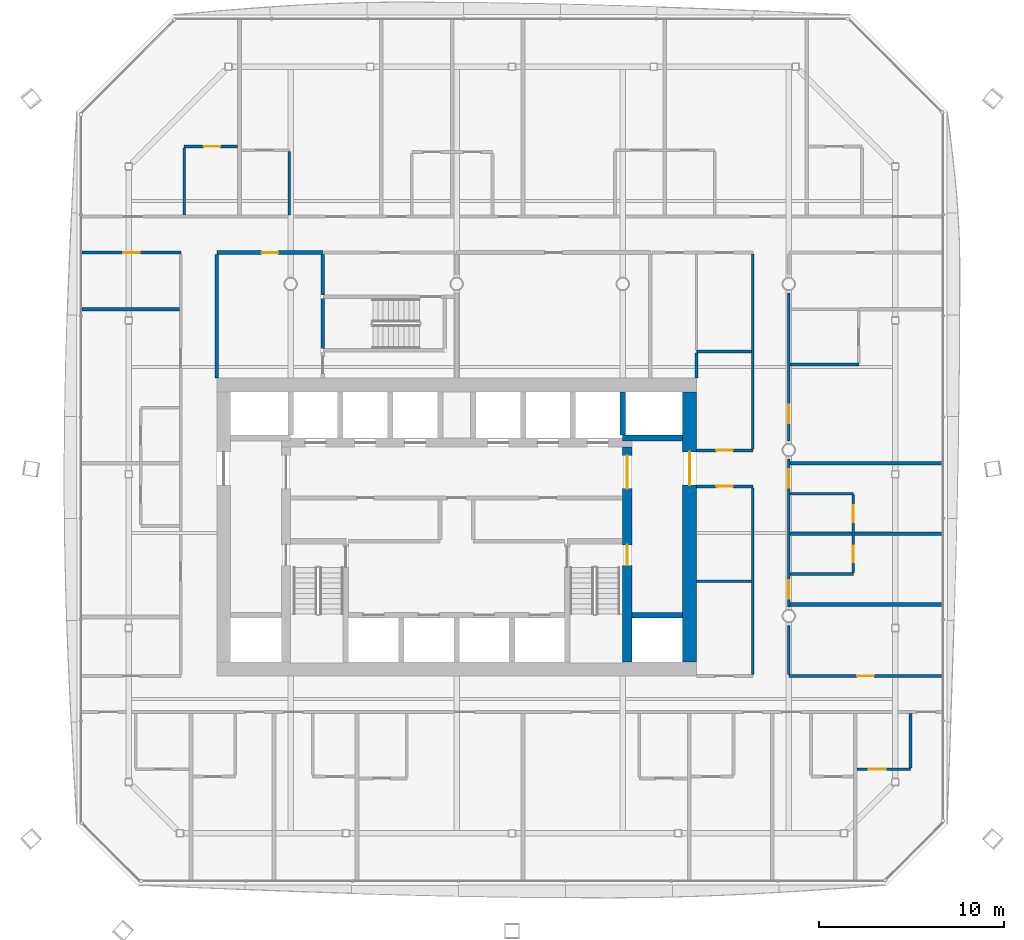
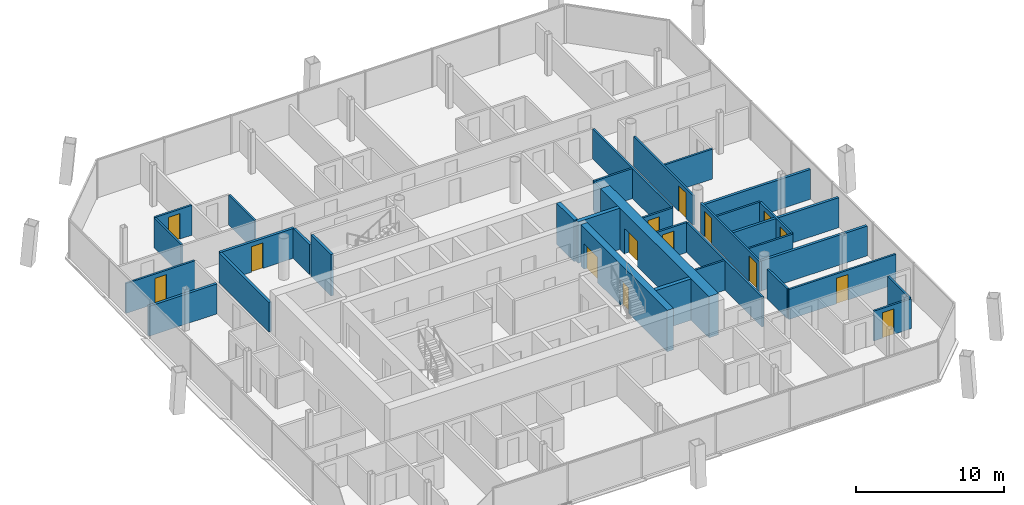
# One storey, part 14 of 21: 34 walls, 15 doors, 15 openings.
"""IFC4 building model written with IfcOpenShell, lengths in metres."""

import ifcopenshell
import ifcopenshell.guid

model = None  # the IFC model being written
_history = None  # IfcOwnerHistory: only IFC2X3 demands one
_inside = {}  # id of a spatial element -> (the spatial element, [elements in it])
_under = {}  # id of a project, library or spatial element -> (it, [spatial elements below it])
_declared = {}  # id of a project -> (the project, [libraries it declares])
_typed = {}  # id of a type object -> (the type object, [elements of that type])
_made_of = {}  # id of a material, layer set ... -> (it, [elements and type objects made of it])


def new_model(schema):
    """Start an empty IFC model of exactly this schema.

    Asked for "IFC4X3", IfcOpenShell would pick the latest addendum, in which some entities
    have other attributes; the version numbers below select the first issue.
    IFC2X3 requires an IfcOwnerHistory on every rooted entity: one is made here for all.
    """
    global model, _history
    if schema == "IFC4X3":
        model = ifcopenshell.file(schema_version=(4, 3, 0, 0))
    else:
        model = ifcopenshell.file(schema=schema)
    _inside.clear()
    _under.clear()
    _declared.clear()
    _typed.clear()
    _made_of.clear()
    _history = None
    if model.schema == "IFC2X3":
        org = make("IfcOrganization", Name="unknown")
        user = make(
            "IfcPersonAndOrganization",
            ThePerson=make("IfcPerson", FamilyName="unknown"),
            TheOrganization=org,
        )
        app = make(
            "IfcApplication",
            ApplicationDeveloper=org,
            Version="unknown",
            ApplicationFullName="unknown",
            ApplicationIdentifier="unknown",
        )
        _history = make(
            "IfcOwnerHistory",
            OwningUser=user,
            OwningApplication=app,
            ChangeAction="ADDED",
            CreationDate=0,
        )
    return model


def make(cls, **values):
    """One entity of the class cls with the attributes given. An attribute that is None is left unset."""
    return model.create_entity(
        cls, **{name: value for name, value in values.items() if value is not None}
    )


def rooted(cls, **values):
    """An entity with a GlobalId (a new one), such as an element, a storey or a relation."""
    return make(cls, GlobalId=ifcopenshell.guid.new(), OwnerHistory=_history, **values)


def si_unit(unit_type, name, prefix=None):
    """IfcSIUnit, for example si_unit("LENGTHUNIT", "METRE", prefix="MILLI")."""
    return make("IfcSIUnit", UnitType=unit_type, Prefix=prefix, Name=name)


def assignment(units):
    """IfcUnitAssignment: the units of a project."""
    return None if units is None else make("IfcUnitAssignment", Units=units)


def point(xyz):
    """IfcCartesianPoint."""
    return None if xyz is None else make("IfcCartesianPoint", Coordinates=xyz)


def direction(xyz):
    """IfcDirection."""
    return None if xyz is None else make("IfcDirection", DirectionRatios=xyz)


def frame(location, z_axis=None, x_axis=None):
    """IfcAxis2Placement3D, a coordinate frame: its origin and axes. An axis left out is left unset."""
    return make(
        "IfcAxis2Placement3D",
        Location=point(location),
        Axis=direction(z_axis),
        RefDirection=direction(x_axis),
    )


def frame_2d(location, x_axis=None):
    """IfcAxis2Placement2D, a coordinate frame in the plane: its origin and x axis."""
    return make(
        "IfcAxis2Placement2D", Location=point(location), RefDirection=direction(x_axis)
    )


def origin():
    """The frame at (0, 0, 0) with its axes left unset."""
    return frame((0.0, 0.0, 0.0))


def place(relative_to, where):
    """IfcLocalPlacement: puts the frame where relative to a parent placement (None: the world)."""
    return make(
        "IfcLocalPlacement", PlacementRelTo=relative_to, RelativePlacement=where
    )


def context(
    kind, dimensions, precision=None, world=None, true_north=None, identifier=None
):
    """IfcGeometricRepresentationContext, for example the 3D "Model" context."""
    return make(
        "IfcGeometricRepresentationContext",
        ContextIdentifier=identifier,
        ContextType=kind,
        CoordinateSpaceDimension=dimensions,
        Precision=precision,
        WorldCoordinateSystem=world,
        TrueNorth=true_north,
    )


def subcontext(parent, identifier, kind, view, scale=None):
    """IfcGeometricRepresentationSubContext, for example "Body" below "Model"."""
    return make(
        "IfcGeometricRepresentationSubContext",
        ContextIdentifier=identifier,
        ContextType=kind,
        ParentContext=parent,
        TargetScale=scale,
        TargetView=view,
    )


def project(units=None, contexts=None):
    """IfcProject with its units and contexts."""
    return rooted(
        "IfcProject",
        Name="project",
        RepresentationContexts=contexts,
        UnitsInContext=assignment(units),
    )


def spatial(cls, under=None, at=None, **own):
    """A site, building, storey or space (cls), placed at a placement, below another one or the project."""
    s = rooted(cls, ObjectPlacement=at, **own)
    if under is not None:
        _under.setdefault(under.id(), (under, []))[1].append(s)
    return s


def profile(cls, at=None, kind="AREA", **sizes):
    """A parametric profile (cls). Its sizes go by their IFC names, for example OverallWidth=200.0."""
    return make(cls, ProfileType=kind, Position=at, **sizes)


def rectangle(**sizes):
    """IfcRectangleProfileDef."""
    return profile("IfcRectangleProfileDef", **sizes)


def extrude(swept, where, along, depth):
    """IfcExtrudedAreaSolid: the profile swept, set in the frame where, extruded along a direction by depth."""
    return make(
        "IfcExtrudedAreaSolid",
        SweptArea=swept,
        Position=where,
        ExtrudedDirection=direction(along),
        Depth=depth,
    )


def shape(context_of_items, identifier, shape_type, items):
    """IfcShapeRepresentation: the items that make up one representation, for example the "Body"."""
    return make(
        "IfcShapeRepresentation",
        ContextOfItems=context_of_items,
        RepresentationIdentifier=identifier,
        RepresentationType=shape_type,
        Items=items,
    )


def material(Name=None, Category=None):
    """IfcMaterial."""
    return make("IfcMaterial", Name=Name, Category=Category)


def layer(
    of_material, thickness, ventilated=None, Name=None, Category=None, Priority=None
):
    """IfcMaterialLayer: one layer of a wall or slab, of a material (None: an air gap)."""
    return make(
        "IfcMaterialLayer",
        Material=of_material,
        LayerThickness=thickness,
        IsVentilated=ventilated,
        Name=Name,
        Category=Category,
        Priority=Priority,
    )


def layer_set(layers, Name=None):
    """IfcMaterialLayerSet."""
    return make("IfcMaterialLayerSet", MaterialLayers=layers, LayerSetName=Name)


def made_of(thing, what):
    """Note that an element or type object is made of a material, layer set ...; save() writes the relation."""
    if what is not None:
        _made_of.setdefault(what.id(), (what, []))[1].append(thing)
    return thing


def type_object(cls, material=None, **own):
    """A type object (cls), such as IfcWallType, which elements share."""
    return made_of(rooted(cls, **own), material)


def element(
    cls,
    number,
    at=None,
    inside=None,
    cuts=None,
    type_object=None,
    material=None,
    context=None,
    identifier="Body",
    shape_type=None,
    held_by="IfcProductDefinitionShape",
    body=None,
    shapes=None,
    **own,
):
    """One element of the class cls, such as IfcWall. Its Tag is "e" and its number.

    at: its placement. inside: the storey or other place that contains it. cuts: it is an
    opening in that element (IfcRelVoidsElement). A single representation is given by context,
    identifier, shape_type and body (its items); several are given by shapes. held_by: the class
    of the entity that holds the representations. save() writes the other relations.
    """
    e = rooted(cls, Tag="e%d" % number, ObjectPlacement=at, **own)
    if body is not None:
        shapes = [shape(context, identifier, shape_type, body)]
    if shapes is not None:
        e.Representation = make(held_by, Representations=shapes)
    if inside is not None:
        _inside.setdefault(inside.id(), (inside, []))[1].append(e)
    if cuts is not None:
        rooted(
            "IfcRelVoidsElement", RelatingBuildingElement=cuts, RelatedOpeningElement=e
        )
    if type_object is not None:
        _typed.setdefault(type_object.id(), (type_object, []))[1].append(e)
    return made_of(e, material)


def fill(opening, filler):
    """IfcRelFillsElement: the door or window that sits in an opening."""
    return rooted(
        "IfcRelFillsElement",
        RelatingOpeningElement=opening,
        RelatedBuildingElement=filler,
    )


def aggregate(whole, parts):
    """IfcRelAggregates: a whole, such as a stair, and the parts it consists of."""
    return rooted("IfcRelAggregates", RelatingObject=whole, RelatedObjects=parts)


def save(model, path):
    """Write the relations noted so far, then the file.

    IfcRelAggregates (storeys below a building ...), IfcRelContainedInSpatialStructure (elements
    in a storey), IfcRelDefinesByType, IfcRelAssociatesMaterial and IfcRelDeclares: one each for
    every whole, place, type object, material and project.
    """
    for whole, parts in _under.values():
        aggregate(whole, parts)
    for where, things in _inside.values():
        rooted(
            "IfcRelContainedInSpatialStructure",
            RelatedElements=things,
            RelatingStructure=where,
        )
    for kind, things in _typed.values():
        rooted("IfcRelDefinesByType", RelatedObjects=things, RelatingType=kind)
    for what, things in _made_of.values():
        rooted("IfcRelAssociatesMaterial", RelatedObjects=things, RelatingMaterial=what)
    for by, libraries in _declared.values():
        rooted("IfcRelDeclares", RelatingContext=by, RelatedDefinitions=libraries)
    model.write(path)


model = new_model("IFC4")

# Units and contexts
model_context = context("Model", 3, precision=1e-05, world=origin(), true_north=direction((0.0, 1.0)))
body_context = subcontext(model_context, "Body", "Model", "MODEL_VIEW")
ifc_project = project(units=[si_unit("LENGTHUNIT", "METRE"), si_unit("AREAUNIT", "SQUARE_METRE"), si_unit("VOLUMEUNIT", "CUBIC_METRE"), si_unit("PLANEANGLEUNIT", "RADIAN"), si_unit("MASSUNIT", "GRAM", prefix="KILO")], contexts=[model_context])

# Site, building, storey
site_placement = place(None, origin())
site = spatial("IfcSite", under=ifc_project, at=site_placement, CompositionType="ELEMENT")
building_placement = place(site_placement, origin())
building = spatial("IfcBuilding", under=site, at=building_placement, Name="Tskaro Facet Tower", CompositionType="ELEMENT")
storey_placement = place(building_placement, frame((0.0, 0.0, 128.300048828125)))
storey = spatial("IfcBuildingStorey", under=building, at=storey_placement, Name="L30", CompositionType="ELEMENT", Elevation=128.300048828125)

# Walls
ifc_material_1 = material(Name="Concrete C60/75", Category="concrete")
ifc_layer_1 = layer(ifc_material_1, 0.300048828125, Name="Concrete C60/75")
ifc_layer_set_1 = layer_set([ifc_layer_1], Name="Concrete C60/75")
wall_type_1 = type_object("IfcWallType", Name="CORE-SHAFT", PredefinedType="SHEAR", material=ifc_layer_set_1)
wall_1_placement = place(storey_placement, frame((9.5, -8.949951171875, 0.0), z_axis=(0.0, 0.0, 1.0), x_axis=(1.0, 0.0, 0.0)))
element("IfcWall", 1, at=wall_1_placement, inside=storey, type_object=wall_type_1, Name="Shaft wall W016", PredefinedType="SHEAR", context=body_context, shape_type="SweptSolid", body=[
    extrude(rectangle(XDim=2.75, YDim=0.300048828125, at=frame_2d((1.375, 0.0))), origin(), (0.0, 0.0, 1.0), 3.39990234375),
])
wall_2_placement = place(storey_placement, frame((12.25, 0.64990234375, 0.0), z_axis=(0.0, 0.0, 1.0), x_axis=(-1.0, 0.0, 0.0)))
element("IfcWall", 2, at=wall_2_placement, inside=storey, type_object=wall_type_1, Name="Shaft wall W033", PredefinedType="SHEAR", context=body_context, shape_type="SweptSolid", body=[
    extrude(rectangle(XDim=3.25, YDim=0.300048828125, at=frame_2d((1.625, 0.0))), origin(), (0.0, 0.0, 1.0), 3.39990234375),
])
wall_3_placement = place(storey_placement, frame((9.0, 0.800048828125, 0.0), z_axis=(0.0, 0.0, 1.0), x_axis=(0.0, 1.0, 0.0)))
element("IfcWall", 3, at=wall_3_placement, inside=storey, type_object=wall_type_1, Name="Shaft wall W095", PredefinedType="SHEAR", context=body_context, shape_type="SweptSolid", body=[
    extrude(rectangle(XDim=2.349853515625, YDim=0.300048828125, at=frame_2d((1.1748046875, 0.0))), origin(), (0.0, 0.0, 1.0), 3.39990234375),
])

# Wall, openings, doors
ifc_material_2 = material(Name="Concrete C40/50", Category="concrete")
ifc_layer_2 = layer(ifc_material_2, 0.5, Name="Concrete C40/50")
ifc_layer_set_2 = layer_set([ifc_layer_2], Name="Concrete C40/50")
wall_type_2 = type_object("IfcWallType", Name="Core wall 500", PredefinedType="SHEAR", material=ifc_layer_set_2)
wall_4_placement = place(storey_placement, frame((9.25, -11.5, 0.0), z_axis=(0.0, 0.0, 1.0), x_axis=(0.0, 1.0, 0.0)))
wall_4 = element("IfcWall", 4, at=wall_4_placement, inside=storey, type_object=wall_type_2, Name="Core wall CW-Z3E", PredefinedType="SHEAR", context=body_context, shape_type="SweptSolid", body=[
    extrude(rectangle(XDim=11.64990234375, YDim=0.5, at=frame_2d((5.824951171875, 0.0))), origin(), (0.0, 0.0, 1.0), 3.39990234375),
])
opening_1_placement = place(wall_4_placement, frame((9.39990234375, 0.0, 0.0)))
opening_1 = element("IfcOpeningElement", 5, at=opening_1_placement, cuts=wall_4, Name="Opening T8-D32", PredefinedType="OPENING", context=body_context, shape_type="SweptSolid", body=[
    extrude(rectangle(XDim=1.800048828125, YDim=2.10009765625, at=frame_2d((0.89990234375, 1.050048828125))), frame((0.0, 0.260009765625, 0.0), z_axis=(0.0, -1.0, 0.0), x_axis=(1.0, 0.0, 0.0)), (0.0, 0.0, 1.0), 0.52001953125),
])
opening_2_placement = place(wall_4_placement, frame((5.25, 0.0, 0.0)))
opening_2 = element("IfcOpeningElement", 6, at=opening_2_placement, cuts=wall_4, Name="Opening ST-2-D2", PredefinedType="OPENING", context=body_context, shape_type="SweptSolid", body=[
    extrude(rectangle(XDim=1.10009765625, YDim=2.10009765625, at=frame_2d((0.550048828125, 1.050048828125))), frame((0.0, 0.260009765625, 0.0), z_axis=(0.0, -1.0, 0.0), x_axis=(1.0, 0.0, 0.0)), (0.0, 0.0, 1.0), 0.52001953125),
])
ifc_material_3 = material(Name="Steel", Category="steel")
door_type_1 = type_object("IfcDoorType", Name="D-CORE-PAIR", OperationType="NOTDEFINED", PredefinedType="DOOR", material=ifc_material_3)
door_1_placement = place(opening_1_placement, origin())
door_1 = element("IfcDoor", 7, at=door_1_placement, inside=storey, type_object=door_type_1, Name="Door T8-D32", OperationType="DOUBLE_DOOR_SINGLE_SWING", OverallHeight=2.10009765625, OverallWidth=1.800048828125, PredefinedType="DOOR", context=body_context, shape_type="SweptSolid", body=[
    extrude(rectangle(XDim=1.800048828125, YDim=2.10009765625, at=frame_2d((0.89990234375, 1.050048828125))), frame((0.0, 0.02490234375, 0.0), z_axis=(0.0, -1.0, 0.0), x_axis=(1.0, 0.0, 0.0)), (0.0, 0.0, 1.0), 0.050048828125),
])
fill(opening_1, door_1)
door_type_2 = type_object("IfcDoorType", Name="D-STAIR", OperationType="NOTDEFINED", PredefinedType="DOOR", material=ifc_material_3)
door_2_placement = place(opening_2_placement, origin())
door_2 = element("IfcDoor", 8, at=door_2_placement, inside=storey, type_object=door_type_2, Name="Stair door 2 east", OperationType="SINGLE_SWING_LEFT", OverallHeight=2.10009765625, OverallWidth=1.10009765625, PredefinedType="DOOR", context=body_context, shape_type="SweptSolid", body=[
    extrude(rectangle(XDim=1.10009765625, YDim=2.10009765625, at=frame_2d((0.550048828125, 1.050048828125))), frame((0.0, 0.02490234375, 0.0), z_axis=(0.0, -1.0, 0.0), x_axis=(1.0, 0.0, 0.0)), (0.0, 0.0, 1.0), 0.050048828125),
])
fill(opening_2, door_2)

# Wall, opening, door
ifc_material_4 = material(Name="Concrete C50/60", Category="concrete")
ifc_layer_3 = layer(ifc_material_4, 0.75, Name="Concrete C50/60")
ifc_layer_set_3 = layer_set([ifc_layer_3], Name="Concrete C50/60")
wall_type_3 = type_object("IfcWallType", Name="Core wall 750", PredefinedType="SHEAR", material=ifc_layer_set_3)
wall_5_placement = place(storey_placement, frame((12.625, -11.5, 0.0), z_axis=(0.0, 0.0, 1.0), x_axis=(0.0, 1.0, 0.0)))
wall_5 = element("IfcWall", 9, at=wall_5_placement, inside=storey, type_object=wall_type_3, Name="Core wall CW-Z2E", PredefinedType="SHEAR", context=body_context, shape_type="SweptSolid", body=[
    extrude(rectangle(XDim=14.64990234375, YDim=0.75, at=frame_2d((7.324951171875, 0.0))), origin(), (0.0, 0.0, 1.0), 3.39990234375),
])
opening_3_placement = place(wall_5_placement, frame((9.60009765625, 0.0, 0.0)))
opening_3 = element("IfcOpeningElement", 10, at=opening_3_placement, cuts=wall_5, Name="Opening T8-D34", PredefinedType="OPENING", context=body_context, shape_type="SweptSolid", body=[
    extrude(rectangle(XDim=1.800048828125, YDim=2.10009765625, at=frame_2d((0.89990234375, 1.050048828125))), frame((0.0, 0.385009765625, 0.0), z_axis=(0.0, -1.0, 0.0), x_axis=(1.0, 0.0, 0.0)), (0.0, 0.0, 1.0), 0.77001953125),
])
door_3_placement = place(opening_3_placement, origin())
door_3 = element("IfcDoor", 11, at=door_3_placement, inside=storey, type_object=door_type_1, Name="Door T8-D34", OperationType="DOUBLE_DOOR_SINGLE_SWING", OverallHeight=2.10009765625, OverallWidth=1.800048828125, PredefinedType="DOOR", context=body_context, shape_type="SweptSolid", body=[
    extrude(rectangle(XDim=1.800048828125, YDim=2.10009765625, at=frame_2d((0.89990234375, 1.050048828125))), frame((0.0, 0.02490234375, 0.0), z_axis=(0.0, -1.0, 0.0), x_axis=(1.0, 0.0, 0.0)), (0.0, 0.0, 1.0), 0.050048828125),
])
fill(opening_3, door_3)

ifc_material_5 = material(Name="Gypsum board on steel studs", Category="steel")
ifc_layer_4 = layer(ifc_material_5, 0.14990234375, Name="Gypsum board on steel studs")
ifc_layer_set_4 = layer_set([ifc_layer_4], Name="Gypsum board on steel studs")
wall_type_4 = type_object("IfcWallType", Name="PART-CORR", PredefinedType="PARTITIONING", material=ifc_layer_set_4)
wall_6_placement = place(storey_placement, frame((21.698974609375, -17.300048828125, 0.0), z_axis=(0.0, 0.0, 1.0), x_axis=(1.0, 0.0, 0.0)))
wall_6 = element("IfcWall", 12, at=wall_6_placement, inside=storey, type_object=wall_type_4, Name="Corridor wall W008", PredefinedType="PARTITIONING", context=body_context, shape_type="SweptSolid", body=[
    extrude(rectangle(XDim=2.900146484375, YDim=0.14990234375, at=frame_2d((1.4501953125, 0.0))), origin(), (0.0, 0.0, 1.0), 2.4599609375),
])
opening_4_placement = place(wall_6_placement, frame((0.64990234375, 0.0, 0.0)))
opening_4 = element("IfcOpeningElement", 13, at=opening_4_placement, cuts=wall_6, Name="Opening T8-D08", PredefinedType="OPENING", context=body_context, shape_type="SweptSolid", body=[
    extrude(rectangle(XDim=0.89990234375, YDim=2.10009765625, at=frame_2d((0.449951171875, 1.050048828125))), frame((0.0, 0.0849609375, 0.0), z_axis=(0.0, -1.0, 0.0), x_axis=(1.0, 0.0, 0.0)), (0.0, 0.0, 1.0), 0.169921875),
])
ifc_material_6 = material(Name="Timber", Category="wood")
door_type_3 = type_object("IfcDoorType", Name="D-ROOM", OperationType="NOTDEFINED", PredefinedType="DOOR", material=ifc_material_6)
door_4_placement = place(opening_4_placement, origin())
door_4 = element("IfcDoor", 14, at=door_4_placement, inside=storey, type_object=door_type_3, Name="Door T8-D08", OperationType="SINGLE_SWING_LEFT", OverallHeight=2.10009765625, OverallWidth=0.89990234375, PredefinedType="DOOR", context=body_context, shape_type="SweptSolid", body=[
    extrude(rectangle(XDim=0.89990234375, YDim=2.10009765625, at=frame_2d((0.449951171875, 1.050048828125))), frame((0.0, 0.02490234375, 0.0), z_axis=(0.0, -1.0, 0.0), x_axis=(1.0, 0.0, 0.0)), (0.0, 0.0, 1.0), 0.050048828125),
])
fill(opening_4, door_4)

wall_7_placement = place(storey_placement, frame((18.0, -12.25, 0.0), z_axis=(0.0, 0.0, 1.0), x_axis=(1.0, 0.0, 0.0)))
wall_7 = element("IfcWall", 15, at=wall_7_placement, inside=storey, type_object=wall_type_4, Name="Corridor wall W012", PredefinedType="PARTITIONING", context=body_context, shape_type="SweptSolid", body=[
    extrude(rectangle(XDim=8.31689453125, YDim=0.14990234375, at=frame_2d((4.158447265625, 0.0))), origin(), (0.0, 0.0, 1.0), 2.4599609375),
])
opening_5_placement = place(wall_7_placement, frame((3.70849609375, 0.0, 0.0)))
opening_5 = element("IfcOpeningElement", 16, at=opening_5_placement, cuts=wall_7, Name="Opening T8-D19", PredefinedType="OPENING", context=body_context, shape_type="SweptSolid", body=[
    extrude(rectangle(XDim=0.89990234375, YDim=2.10009765625, at=frame_2d((0.449951171875, 1.050048828125))), frame((0.0, 0.0849609375, 0.0), z_axis=(0.0, -1.0, 0.0), x_axis=(1.0, 0.0, 0.0)), (0.0, 0.0, 1.0), 0.169921875),
])
door_5_placement = place(opening_5_placement, origin())
door_5 = element("IfcDoor", 17, at=door_5_placement, inside=storey, type_object=door_type_3, Name="Door T8-D19", OperationType="SINGLE_SWING_LEFT", OverallHeight=2.10009765625, OverallWidth=0.89990234375, PredefinedType="DOOR", context=body_context, shape_type="SweptSolid", body=[
    extrude(rectangle(XDim=0.89990234375, YDim=2.10009765625, at=frame_2d((0.449951171875, 1.050048828125))), frame((0.0, 0.02490234375, 0.0), z_axis=(0.0, -1.0, 0.0), x_axis=(1.0, 0.0, 0.0)), (0.0, 0.0, 1.0), 0.050048828125),
])
fill(opening_5, door_5)

# Walls
wall_8_placement = place(storey_placement, frame((13.0, -7.112060546875, 0.0), z_axis=(0.0, 0.0, 1.0), x_axis=(1.0, 0.0, 0.0)))
element("IfcWall", 18, at=wall_8_placement, inside=storey, type_object=wall_type_4, Name="Corridor wall W018", PredefinedType="PARTITIONING", context=body_context, shape_type="SweptSolid", body=[
    extrude(rectangle(XDim=2.97509765625, YDim=0.14990234375, at=frame_2d((1.487548828125, 0.0))), origin(), (0.0, 0.0, 1.0), 2.4599609375),
])
for number, where, z_axis, x_axis, name in (
    (19, (18.074951171875, -6.72802734375, 0.0), (0.0, 0.0, 1.0), (1.0, 0.0, 0.0), "Corridor wall W019"),
    (20, (18.074951171875, -2.367919921875, 0.0), (0.0, 0.0, 1.0), (1.0, 0.0, 0.0), "Corridor wall W027"),
):
    element("IfcWall", number, at=place(storey_placement, frame(where, z_axis=z_axis, x_axis=x_axis)), inside=storey, type_object=wall_type_4, Name=name, PredefinedType="PARTITIONING", context=body_context, shape_type="SweptSolid", body=[
        extrude(rectangle(XDim=3.425048828125, YDim=0.14990234375, at=frame_2d((1.71240234375, 0.0))), origin(), (0.0, 0.0, 1.0), 2.4599609375),
    ])

# Wall, opening, door
wall_9_placement = place(storey_placement, frame((16.050048828125, -1.97509765625, 0.0), z_axis=(0.0, 0.0, 1.0), x_axis=(-1.0, 0.0, 0.0)))
wall_9 = element("IfcWall", 21, at=wall_9_placement, inside=storey, type_object=wall_type_4, Name="Corridor wall W028", PredefinedType="PARTITIONING", context=body_context, shape_type="SweptSolid", body=[
    extrude(rectangle(XDim=3.050048828125, YDim=0.14990234375, at=frame_2d((1.52490234375, 0.0))), origin(), (0.0, 0.0, 1.0), 2.4599609375),
])
opening_6_placement = place(wall_9_placement, frame((1.074951171875, 0.0, 0.0)))
opening_6 = element("IfcOpeningElement", 22, at=opening_6_placement, cuts=wall_9, Name="Opening T8-D29", PredefinedType="OPENING", context=body_context, shape_type="SweptSolid", body=[
    extrude(rectangle(XDim=0.89990234375, YDim=2.10009765625, at=frame_2d((0.449951171875, 1.050048828125))), frame((0.0, 0.0849609375, 0.0), z_axis=(0.0, -1.0, 0.0), x_axis=(1.0, 0.0, 0.0)), (0.0, 0.0, 1.0), 0.169921875),
])
door_6_placement = place(opening_6_placement, origin())
door_6 = element("IfcDoor", 23, at=door_6_placement, inside=storey, type_object=door_type_3, Name="Door T8-D29", OperationType="SINGLE_SWING_RIGHT", OverallHeight=2.10009765625, OverallWidth=0.89990234375, PredefinedType="DOOR", context=body_context, shape_type="SweptSolid", body=[
    extrude(rectangle(XDim=0.89990234375, YDim=2.10009765625, at=frame_2d((0.449951171875, 1.050048828125))), frame((0.0, 0.02490234375, 0.0), z_axis=(0.0, -1.0, 0.0), x_axis=(1.0, 0.0, 0.0)), (0.0, 0.0, 1.0), 0.050048828125),
])
fill(opening_6, door_6)

wall_10_placement = place(storey_placement, frame((13.0, -0.02490234375, 0.0), z_axis=(0.0, 0.0, 1.0), x_axis=(1.0, 0.0, 0.0)))
wall_10 = element("IfcWall", 24, at=wall_10_placement, inside=storey, type_object=wall_type_4, Name="Corridor wall W031", PredefinedType="PARTITIONING", context=body_context, shape_type="SweptSolid", body=[
    extrude(rectangle(XDim=3.050048828125, YDim=0.14990234375, at=frame_2d((1.52490234375, 0.0))), origin(), (0.0, 0.0, 1.0), 2.4599609375),
])
opening_7_placement = place(wall_10_placement, frame((1.074951171875, 0.0, 0.0)))
opening_7 = element("IfcOpeningElement", 25, at=opening_7_placement, cuts=wall_10, Name="Opening T8-D35", PredefinedType="OPENING", context=body_context, shape_type="SweptSolid", body=[
    extrude(rectangle(XDim=0.89990234375, YDim=2.10009765625, at=frame_2d((0.449951171875, 1.050048828125))), frame((0.0, 0.0849609375, 0.0), z_axis=(0.0, -1.0, 0.0), x_axis=(1.0, 0.0, 0.0)), (0.0, 0.0, 1.0), 0.169921875),
])
door_7_placement = place(opening_7_placement, origin())
door_7 = element("IfcDoor", 26, at=door_7_placement, inside=storey, type_object=door_type_3, Name="Door T8-D35", OperationType="SINGLE_SWING_LEFT", OverallHeight=2.10009765625, OverallWidth=0.89990234375, PredefinedType="DOOR", context=body_context, shape_type="SweptSolid", body=[
    extrude(rectangle(XDim=0.89990234375, YDim=2.10009765625, at=frame_2d((0.449951171875, 1.050048828125))), frame((0.0, 0.02490234375, 0.0), z_axis=(0.0, -1.0, 0.0), x_axis=(1.0, 0.0, 0.0)), (0.0, 0.0, 1.0), 0.050048828125),
])
fill(opening_7, door_7)

# Walls
wall_11_placement = place(storey_placement, frame((18.074951171875, 4.6259765625, 0.0), z_axis=(0.0, 0.0, 1.0), x_axis=(1.0, 0.0, 0.0)))
element("IfcWall", 27, at=wall_11_placement, inside=storey, type_object=wall_type_4, Name="Corridor wall W035", PredefinedType="PARTITIONING", context=body_context, shape_type="SweptSolid", body=[
    extrude(rectangle(XDim=3.72509765625, YDim=0.14990234375, at=frame_2d((1.862548828125, 0.0))), origin(), (0.0, 0.0, 1.0), 2.4599609375),
])
wall_12_placement = place(storey_placement, frame((13.0, 5.3369140625, 0.0), z_axis=(0.0, 0.0, 1.0), x_axis=(1.0, 0.0, 0.0)))
element("IfcWall", 28, at=wall_12_placement, inside=storey, type_object=wall_type_4, Name="Corridor wall W036", PredefinedType="PARTITIONING", context=body_context, shape_type="SweptSolid", body=[
    extrude(rectangle(XDim=2.97509765625, YDim=0.14990234375, at=frame_2d((1.487548828125, 0.0))), origin(), (0.0, 0.0, 1.0), 2.4599609375),
])

# Wall, opening, door
wall_13_placement = place(storey_placement, frame((-14.949951171875, 10.699951171875, 0.0), z_axis=(0.0, 0.0, 1.0), x_axis=(-1.0, 0.0, 0.0)))
wall_13 = element("IfcWall", 29, at=wall_13_placement, inside=storey, type_object=wall_type_4, Name="Corridor wall W043", PredefinedType="PARTITIONING", context=body_context, shape_type="SweptSolid", body=[
    extrude(rectangle(XDim=5.366943359375, YDim=0.14990234375, at=frame_2d((2.68359375, 0.0))), origin(), (0.0, 0.0, 1.0), 2.4599609375),
])
opening_8_placement = place(wall_13_placement, frame((2.2333984375, 0.0, 0.0)))
opening_8 = element("IfcOpeningElement", 30, at=opening_8_placement, cuts=wall_13, Name="Opening T8-D43", PredefinedType="OPENING", context=body_context, shape_type="SweptSolid", body=[
    extrude(rectangle(XDim=0.89990234375, YDim=2.10009765625, at=frame_2d((0.449951171875, 1.050048828125))), frame((0.0, 0.0849609375, 0.0), z_axis=(0.0, -1.0, 0.0), x_axis=(1.0, 0.0, 0.0)), (0.0, 0.0, 1.0), 0.169921875),
])
door_8_placement = place(opening_8_placement, origin())
door_8 = element("IfcDoor", 31, at=door_8_placement, inside=storey, type_object=door_type_3, Name="Door T8-D43", OperationType="SINGLE_SWING_RIGHT", OverallHeight=2.10009765625, OverallWidth=0.89990234375, PredefinedType="DOOR", context=body_context, shape_type="SweptSolid", body=[
    extrude(rectangle(XDim=0.89990234375, YDim=2.10009765625, at=frame_2d((0.449951171875, 1.050048828125))), frame((0.0, 0.02490234375, 0.0), z_axis=(0.0, -1.0, 0.0), x_axis=(1.0, 0.0, 0.0)), (0.0, 0.0, 1.0), 0.050048828125),
])
fill(opening_8, door_8)

wall_14_placement = place(storey_placement, frame((-11.867919921875, 16.449951171875, 0.0), z_axis=(0.0, 0.0, 1.0), x_axis=(-1.0, 0.0, 0.0)))
wall_14 = element("IfcWall", 32, at=wall_14_placement, inside=storey, type_object=wall_type_4, Name="Corridor wall W053", PredefinedType="PARTITIONING", context=body_context, shape_type="SweptSolid", body=[
    extrude(rectangle(XDim=2.900146484375, YDim=0.14990234375, at=frame_2d((1.4501953125, 0.0))), origin(), (0.0, 0.0, 1.0), 2.4599609375),
])
opening_9_placement = place(wall_14_placement, frame((0.949951171875, 0.0, 0.0)))
opening_9 = element("IfcOpeningElement", 33, at=opening_9_placement, cuts=wall_14, Name="Opening T8-D62", PredefinedType="OPENING", context=body_context, shape_type="SweptSolid", body=[
    extrude(rectangle(XDim=0.89990234375, YDim=2.10009765625, at=frame_2d((0.449951171875, 1.050048828125))), frame((0.0, 0.0849609375, 0.0), z_axis=(0.0, -1.0, 0.0), x_axis=(1.0, 0.0, 0.0)), (0.0, 0.0, 1.0), 0.169921875),
])
door_9_placement = place(opening_9_placement, origin())
door_9 = element("IfcDoor", 34, at=door_9_placement, inside=storey, type_object=door_type_3, Name="Door T8-D62", OperationType="SINGLE_SWING_RIGHT", OverallHeight=2.10009765625, OverallWidth=0.89990234375, PredefinedType="DOOR", context=body_context, shape_type="SweptSolid", body=[
    extrude(rectangle(XDim=0.89990234375, YDim=2.10009765625, at=frame_2d((0.449951171875, 1.050048828125))), frame((0.0, 0.02490234375, 0.0), z_axis=(0.0, -1.0, 0.0), x_axis=(1.0, 0.0, 0.0)), (0.0, 0.0, 1.0), 0.050048828125),
])
fill(opening_9, door_9)

# Walls
wall_15_placement = place(storey_placement, frame((-14.76806640625, 12.72509765625, 0.0), z_axis=(0.0, 0.0, 1.0), x_axis=(0.0, 1.0, 0.0)))
element("IfcWall", 35, at=wall_15_placement, inside=storey, type_object=wall_type_4, Name="Corridor wall W058", PredefinedType="PARTITIONING", context=body_context, shape_type="SweptSolid", body=[
    extrude(rectangle(XDim=3.64990234375, YDim=0.14990234375, at=frame_2d((1.824951171875, 0.0))), origin(), (0.0, 0.0, 1.0), 2.4599609375),
])
wall_16_placement = place(storey_placement, frame((-9.068115234375, 12.72509765625, 0.0), z_axis=(0.0, 0.0, 1.0), x_axis=(0.0, 1.0, 0.0)))
element("IfcWall", 36, at=wall_16_placement, inside=storey, type_object=wall_type_4, Name="Corridor wall W064", PredefinedType="PARTITIONING", context=body_context, shape_type="SweptSolid", body=[
    extrude(rectangle(XDim=3.449951171875, YDim=0.14990234375, at=frame_2d((1.72509765625, 0.0))), origin(), (0.0, 0.0, 1.0), 2.4599609375),
])
wall_17_placement = place(storey_placement, frame((13.0, 3.89990234375, 0.0), z_axis=(0.0, 0.0, 1.0), x_axis=(0.0, 1.0, 0.0)))
element("IfcWall", 37, at=wall_17_placement, inside=storey, type_object=wall_type_4, Name="Corridor wall W100", PredefinedType="PARTITIONING", context=body_context, shape_type="SweptSolid", body=[
    extrude(rectangle(XDim=1.362060546875, YDim=0.14990234375, at=frame_2d((0.68115234375, 0.0))), origin(), (0.0, 0.0, 1.0), 2.4599609375),
])
wall_18_placement = place(storey_placement, frame((16.050048828125, -12.175048828125, 0.0), z_axis=(0.0, 0.0, 1.0), x_axis=(0.0, 1.0, 0.0)))
element("IfcWall", 38, at=wall_18_placement, inside=storey, type_object=wall_type_4, Name="Corridor wall W104", PredefinedType="PARTITIONING", context=body_context, shape_type="SweptSolid", body=[
    extrude(rectangle(XDim=10.125, YDim=0.14990234375, at=frame_2d((5.0625, 0.0))), origin(), (0.0, 0.0, 1.0), 2.4599609375),
])
wall_19_placement = place(storey_placement, frame((16.050048828125, 0.050048828125, 0.0), z_axis=(0.0, 0.0, 1.0), x_axis=(0.0, 1.0, 0.0)))
element("IfcWall", 39, at=wall_19_placement, inside=storey, type_object=wall_type_4, Name="Corridor wall W105", PredefinedType="PARTITIONING", context=body_context, shape_type="SweptSolid", body=[
    extrude(rectangle(XDim=10.574951171875, YDim=0.14990234375, at=frame_2d((5.28759765625, 0.0))), origin(), (0.0, 0.0, 1.0), 2.4599609375),
])
wall_20_placement = place(storey_placement, frame((18.0, -12.175048828125, 0.0), z_axis=(0.0, 0.0, 1.0), x_axis=(0.0, 1.0, 0.0)))
element("IfcWall", 40, at=wall_20_placement, inside=storey, type_object=wall_type_4, Name="Corridor wall W107", PredefinedType="PARTITIONING", context=body_context, shape_type="SweptSolid", body=[
    extrude(rectangle(XDim=2.675048828125, YDim=0.14990234375, at=frame_2d((1.33740234375, 0.0))), origin(), (0.0, 0.0, 1.0), 2.4599609375),
])

# Wall, openings, doors
wall_21_placement = place(storey_placement, frame((18.0, -0.5, 0.0), z_axis=(0.0, 0.0, 1.0), x_axis=(0.0, -1.0, 0.0)))
wall_21 = element("IfcWall", 41, at=wall_21_placement, inside=storey, type_object=wall_type_4, Name="Corridor wall W108", PredefinedType="PARTITIONING", context=body_context, shape_type="SweptSolid", body=[
    extrude(rectangle(XDim=8.0, YDim=0.14990234375, at=frame_2d((4.0, 0.0))), origin(), (0.0, 0.0, 1.0), 2.4599609375),
])
opening_10_placement = place(wall_21_placement, frame((6.553955078125, 0.0, 0.0)))
opening_10 = element("IfcOpeningElement", 42, at=opening_10_placement, cuts=wall_21, Name="Opening T8-D22", PredefinedType="OPENING", context=body_context, shape_type="SweptSolid", body=[
    extrude(rectangle(XDim=1.0, YDim=2.10009765625, at=frame_2d((0.5, 1.050048828125))), frame((0.0, 0.0849609375, 0.0), z_axis=(0.0, -1.0, 0.0), x_axis=(1.0, 0.0, 0.0)), (0.0, 0.0, 1.0), 0.169921875),
])
opening_11_placement = place(wall_21_placement, frame((0.5419921875, 0.0, 0.0)))
opening_11 = element("IfcOpeningElement", 43, at=opening_11_placement, cuts=wall_21, Name="Opening T8-D30", PredefinedType="OPENING", context=body_context, shape_type="SweptSolid", body=[
    extrude(rectangle(XDim=1.0, YDim=2.10009765625, at=frame_2d((0.5, 1.050048828125))), frame((0.0, 0.0849609375, 0.0), z_axis=(0.0, -1.0, 0.0), x_axis=(1.0, 0.0, 0.0)), (0.0, 0.0, 1.0), 0.169921875),
])
door_type_4 = type_object("IfcDoorType", Name="D-ENTRY", OperationType="NOTDEFINED", PredefinedType="DOOR", material=ifc_material_6)
door_10_placement = place(opening_10_placement, origin())
door_10 = element("IfcDoor", 44, at=door_10_placement, inside=storey, type_object=door_type_4, Name="Door T8-D22", OperationType="SINGLE_SWING_LEFT", OverallHeight=2.10009765625, OverallWidth=1.0, PredefinedType="DOOR", context=body_context, shape_type="SweptSolid", body=[
    extrude(rectangle(XDim=1.0, YDim=2.10009765625, at=frame_2d((0.5, 1.050048828125))), frame((0.0, 0.02490234375, 0.0), z_axis=(0.0, -1.0, 0.0), x_axis=(1.0, 0.0, 0.0)), (0.0, 0.0, 1.0), 0.050048828125),
])
fill(opening_10, door_10)
door_11_placement = place(opening_11_placement, origin())
door_11 = element("IfcDoor", 45, at=door_11_placement, inside=storey, type_object=door_type_4, Name="Door T8-D30", OperationType="SINGLE_SWING_RIGHT", OverallHeight=2.10009765625, OverallWidth=1.0, PredefinedType="DOOR", context=body_context, shape_type="SweptSolid", body=[
    extrude(rectangle(XDim=1.0, YDim=2.10009765625, at=frame_2d((0.5, 1.050048828125))), frame((0.0, 0.02490234375, 0.0), z_axis=(0.0, -1.0, 0.0), x_axis=(1.0, 0.0, 0.0)), (0.0, 0.0, 1.0), 0.050048828125),
])
fill(opening_11, door_11)

# Wall, opening, door
wall_22_placement = place(storey_placement, frame((18.0, 8.5, 0.0), z_axis=(0.0, 0.0, 1.0), x_axis=(0.0, -1.0, 0.0)))
wall_22 = element("IfcWall", 46, at=wall_22_placement, inside=storey, type_object=wall_type_4, Name="Corridor wall W109", PredefinedType="PARTITIONING", context=body_context, shape_type="SweptSolid", body=[
    extrude(rectangle(XDim=8.0, YDim=0.14990234375, at=frame_2d((4.0, 0.0))), origin(), (0.0, 0.0, 1.0), 2.4599609375),
])
opening_12_placement = place(wall_22_placement, frame((6.044921875, 0.0, 0.0)))
opening_12 = element("IfcOpeningElement", 47, at=opening_12_placement, cuts=wall_22, Name="Opening T8-D39", PredefinedType="OPENING", context=body_context, shape_type="SweptSolid", body=[
    extrude(rectangle(XDim=1.0, YDim=2.10009765625, at=frame_2d((0.5, 1.050048828125))), frame((0.0, 0.0849609375, 0.0), z_axis=(0.0, -1.0, 0.0), x_axis=(1.0, 0.0, 0.0)), (0.0, 0.0, 1.0), 0.169921875),
])
door_12_placement = place(opening_12_placement, origin())
door_12 = element("IfcDoor", 48, at=door_12_placement, inside=storey, type_object=door_type_4, Name="Door T8-D39", OperationType="SINGLE_SWING_RIGHT", OverallHeight=2.10009765625, OverallWidth=1.0, PredefinedType="DOOR", context=body_context, shape_type="SweptSolid", body=[
    extrude(rectangle(XDim=1.0, YDim=2.10009765625, at=frame_2d((0.5, 1.050048828125))), frame((0.0, 0.02490234375, 0.0), z_axis=(0.0, -1.0, 0.0), x_axis=(1.0, 0.0, 0.0)), (0.0, 0.0, 1.0), 0.050048828125),
])
fill(opening_12, door_12)

# Wall, openings, doors
wall_23_placement = place(storey_placement, frame((21.5, -6.653076171875, 0.0), z_axis=(0.0, 0.0, 1.0), x_axis=(0.0, 1.0, 0.0)))
wall_23 = element("IfcWall", 49, at=wall_23_placement, inside=storey, type_object=wall_type_4, Name="Corridor wall W113", PredefinedType="PARTITIONING", context=body_context, shape_type="SweptSolid", body=[
    extrude(rectangle(XDim=4.2099609375, YDim=0.14990234375, at=frame_2d((2.10498046875, 0.0))), origin(), (0.0, 0.0, 1.0), 2.4599609375),
])
opening_13_placement = place(wall_23_placement, frame((0.56494140625, 0.0, 0.0)))
opening_13 = element("IfcOpeningElement", 50, at=opening_13_placement, cuts=wall_23, Name="Opening T8-D24", PredefinedType="OPENING", context=body_context, shape_type="SweptSolid", body=[
    extrude(rectangle(XDim=0.89990234375, YDim=2.10009765625, at=frame_2d((0.449951171875, 1.050048828125))), frame((0.0, 0.0849609375, 0.0), z_axis=(0.0, -1.0, 0.0), x_axis=(1.0, 0.0, 0.0)), (0.0, 0.0, 1.0), 0.169921875),
])
opening_14_placement = place(wall_23_placement, frame((2.7451171875, 0.0, 0.0)))
opening_14 = element("IfcOpeningElement", 51, at=opening_14_placement, cuts=wall_23, Name="Opening T8-D25", PredefinedType="OPENING", context=body_context, shape_type="SweptSolid", body=[
    extrude(rectangle(XDim=0.89990234375, YDim=2.10009765625, at=frame_2d((0.449951171875, 1.050048828125))), frame((0.0, 0.0849609375, 0.0), z_axis=(0.0, -1.0, 0.0), x_axis=(1.0, 0.0, 0.0)), (0.0, 0.0, 1.0), 0.169921875),
])
door_13_placement = place(opening_13_placement, origin())
door_13 = element("IfcDoor", 52, at=door_13_placement, inside=storey, type_object=door_type_3, Name="Door T8-D24", OperationType="SINGLE_SWING_LEFT", OverallHeight=2.10009765625, OverallWidth=0.89990234375, PredefinedType="DOOR", context=body_context, shape_type="SweptSolid", body=[
    extrude(rectangle(XDim=0.89990234375, YDim=2.10009765625, at=frame_2d((0.449951171875, 1.050048828125))), frame((0.0, 0.02490234375, 0.0), z_axis=(0.0, -1.0, 0.0), x_axis=(1.0, 0.0, 0.0)), (0.0, 0.0, 1.0), 0.050048828125),
])
fill(opening_13, door_13)
door_14_placement = place(opening_14_placement, origin())
door_14 = element("IfcDoor", 53, at=door_14_placement, inside=storey, type_object=door_type_3, Name="Door T8-D25", OperationType="SINGLE_SWING_LEFT", OverallHeight=2.10009765625, OverallWidth=0.89990234375, PredefinedType="DOOR", context=body_context, shape_type="SweptSolid", body=[
    extrude(rectangle(XDim=0.89990234375, YDim=2.10009765625, at=frame_2d((0.449951171875, 1.050048828125))), frame((0.0, 0.02490234375, 0.0), z_axis=(0.0, -1.0, 0.0), x_axis=(1.0, 0.0, 0.0)), (0.0, 0.0, 1.0), 0.050048828125),
])
fill(opening_14, door_14)

# Walls
wall_24_placement = place(storey_placement, frame((24.59912109375, -17.22509765625, 0.0), z_axis=(0.0, 0.0, 1.0), x_axis=(0.0, 1.0, 0.0)))
element("IfcWall", 54, at=wall_24_placement, inside=storey, type_object=wall_type_4, Name="Corridor wall W117", PredefinedType="PARTITIONING", context=body_context, shape_type="SweptSolid", body=[
    extrude(rectangle(XDim=2.9501953125, YDim=0.14990234375, at=frame_2d((1.47509765625, 0.0))), origin(), (0.0, 0.0, 1.0), 2.4599609375),
])
ifc_layer_5 = layer(ifc_material_5, 0.199951171875, Name="Gypsum board on steel studs")
ifc_layer_set_5 = layer_set([ifc_layer_5], Name="Gypsum board on steel studs")
wall_type_5 = type_object("IfcWallType", Name="PART-DEMISING", PredefinedType="PARTITIONING", material=ifc_layer_set_5)
for number, where, z_axis, x_axis, name in (
    (55, (18.074951171875, -8.3798828125, 0.0), (0.0, 0.0, 1.0), (1.0, 0.0, 0.0), "Guest room wall W017"),
    (56, (18.074951171875, -4.548095703125, 0.0), (0.0, 0.0, 1.0), (1.0, 0.0, 0.0), "Guest room wall W024"),
    (57, (18.074951171875, -0.716064453125, 0.0), (0.0, 0.0, 1.0), (1.0, 0.0, 0.0), "Guest room wall W029"),
):
    element("IfcWall", number, at=place(storey_placement, frame(where, z_axis=z_axis, x_axis=x_axis)), inside=storey, type_object=wall_type_5, Name=name, PredefinedType="PARTITIONING", context=body_context, shape_type="SweptSolid", body=[
        extrude(rectangle(XDim=8.241943359375, YDim=0.199951171875, at=frame_2d((4.12109375, 0.0))), origin(), (0.0, 0.0, 1.0), 2.4599609375),
    ])
wall_25_placement = place(storey_placement, frame((-20.31689453125, 7.6259765625, 0.0), z_axis=(0.0, 0.0, 1.0), x_axis=(1.0, 0.0, 0.0)))
element("IfcWall", 58, at=wall_25_placement, inside=storey, type_object=wall_type_5, Name="Guest room wall W038", PredefinedType="PARTITIONING", context=body_context, shape_type="SweptSolid", body=[
    extrude(rectangle(XDim=5.2919921875, YDim=0.199951171875, at=frame_2d((2.64599609375, 0.0))), origin(), (0.0, 0.0, 1.0), 2.4599609375),
])
ifc_layer_6 = layer(ifc_material_1, 0.199951171875, Name="Concrete C60/75")
ifc_layer_set_6 = layer_set([ifc_layer_6], Name="Concrete C60/75")
wall_type_6 = type_object("IfcWallType", Name="STAIR-WALL", PredefinedType="SHEAR", material=ifc_layer_set_6)
wall_26_placement = place(storey_placement, frame((-7.25, 5.5, 0.0), z_axis=(0.0, 0.0, 1.0), x_axis=(0.0, 1.0, 0.0)))
element("IfcWall", 59, at=wall_26_placement, inside=storey, type_object=wall_type_6, Name="Stair wall W068", PredefinedType="SHEAR", context=body_context, shape_type="SweptSolid", body=[
    extrude(rectangle(XDim=2.699951171875, YDim=0.199951171875, at=frame_2d((1.35009765625, 0.0))), origin(), (0.0, 0.0, 1.0), 3.39990234375),
])

# Wall, opening, door
ifc_material_7 = material(Name="Concrete C20/25", Category="concrete")
ifc_layer_7 = layer(ifc_material_7, 0.199951171875, Name="Concrete C20/25")
ifc_layer_set_7 = layer_set([ifc_layer_7], Name="Concrete C20/25")
wall_type_7 = type_object("IfcWallType", Name="WALL-RISER", PredefinedType="SOLIDWALL", material=ifc_layer_set_7)
wall_27_placement = place(storey_placement, frame((-7.25, 10.699951171875, 0.0), z_axis=(0.0, 0.0, 1.0), x_axis=(-1.0, 0.0, 0.0)))
wall_27 = element("IfcWall", 60, at=wall_27_placement, inside=storey, type_object=wall_type_7, Name="Riser room wall W044", PredefinedType="SOLIDWALL", context=body_context, shape_type="SweptSolid", body=[
    extrude(rectangle(XDim=5.75, YDim=0.199951171875, at=frame_2d((2.875, 0.0))), origin(), (0.0, 0.0, 1.0), 2.4599609375),
])
opening_15_placement = place(wall_27_placement, frame((2.425048828125, 0.0, 0.0)))
opening_15 = element("IfcOpeningElement", 61, at=opening_15_placement, cuts=wall_27, Name="Opening T8-D44", PredefinedType="OPENING", context=body_context, shape_type="SweptSolid", body=[
    extrude(rectangle(XDim=0.89990234375, YDim=2.10009765625, at=frame_2d((0.449951171875, 1.050048828125))), frame((0.0, 0.10986328125, 0.0), z_axis=(0.0, -1.0, 0.0), x_axis=(1.0, 0.0, 0.0)), (0.0, 0.0, 1.0), 0.219970703125),
])
door_type_5 = type_object("IfcDoorType", Name="D-RISER", OperationType="NOTDEFINED", PredefinedType="DOOR", material=ifc_material_3)
door_15_placement = place(opening_15_placement, origin())
door_15 = element("IfcDoor", 62, at=door_15_placement, inside=storey, type_object=door_type_5, Name="Door T8-D44", OperationType="SINGLE_SWING_RIGHT", OverallHeight=2.10009765625, OverallWidth=0.89990234375, PredefinedType="DOOR", context=body_context, shape_type="SweptSolid", body=[
    extrude(rectangle(XDim=0.89990234375, YDim=2.10009765625, at=frame_2d((0.449951171875, 1.050048828125))), frame((0.0, 0.02490234375, 0.0), z_axis=(0.0, -1.0, 0.0), x_axis=(1.0, 0.0, 0.0)), (0.0, 0.0, 1.0), 0.050048828125),
])
fill(opening_15, door_15)

# Walls
wall_28_placement = place(storey_placement, frame((-13.0, 3.89990234375, 0.0), z_axis=(0.0, 0.0, 1.0), x_axis=(0.0, 1.0, 0.0)))
element("IfcWall", 63, at=wall_28_placement, inside=storey, type_object=wall_type_7, Name="Riser room wall W060", PredefinedType="SOLIDWALL", context=body_context, shape_type="SweptSolid", body=[
    extrude(rectangle(XDim=6.7001953125, YDim=0.199951171875, at=frame_2d((3.35009765625, 0.0))), origin(), (0.0, 0.0, 1.0), 2.4599609375),
])
wall_29_placement = place(storey_placement, frame((-7.25, 8.39990234375, 0.0), z_axis=(0.0, 0.0, 1.0), x_axis=(0.0, 1.0, 0.0)))
element("IfcWall", 64, at=wall_29_placement, inside=storey, type_object=wall_type_7, Name="Riser room wall W069", PredefinedType="SOLIDWALL", context=body_context, shape_type="SweptSolid", body=[
    extrude(rectangle(XDim=2.2001953125, YDim=0.199951171875, at=frame_2d((1.10009765625, 0.0))), origin(), (0.0, 0.0, 1.0), 2.4599609375),
])

save(model, "model.ifc")
